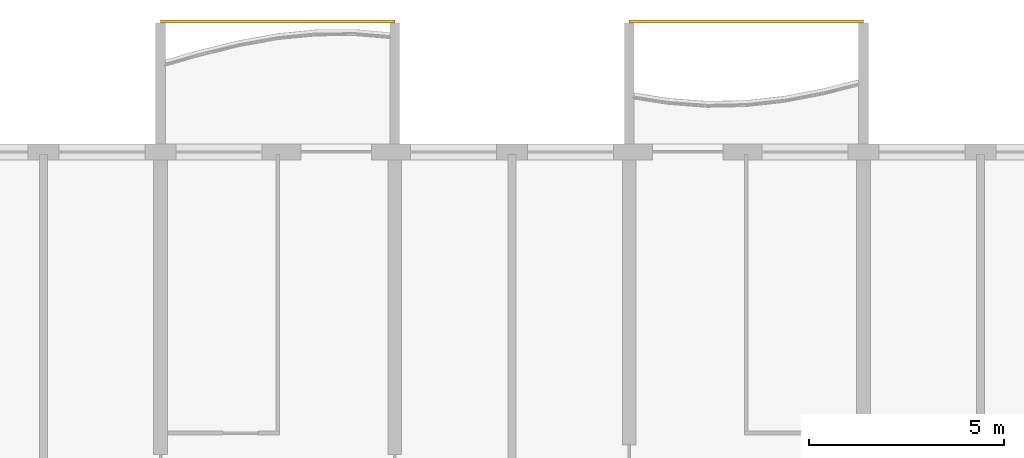
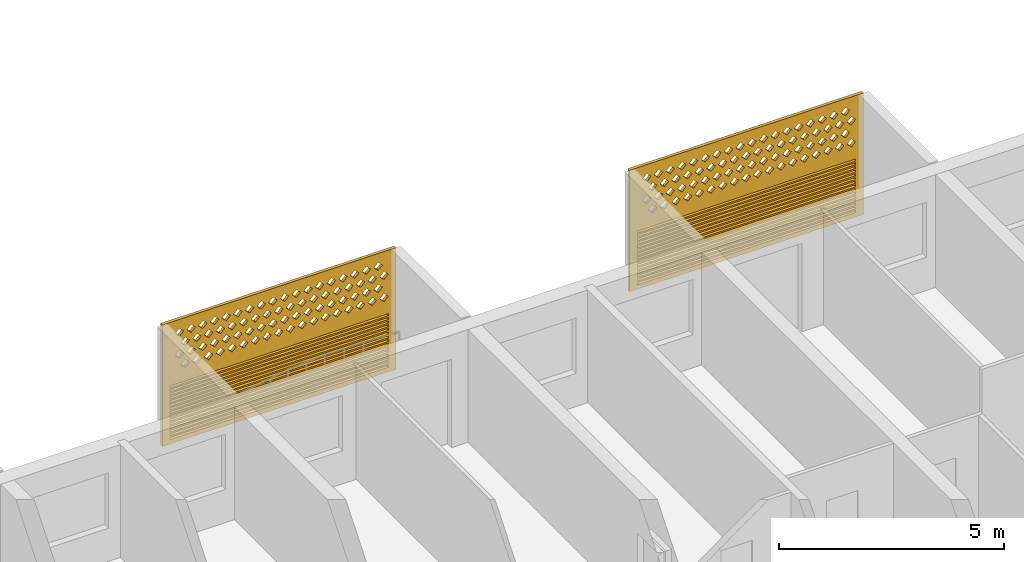
# One storey, part 26 of 29: 2 coverings.
"""IFC4 building model written with IfcOpenShell, lengths in metres."""

from ifc_helpers import new_model, si_unit, direction, frame, origin, place, context, subcontext, project, spatial, polyline, outline, extrude, source, transform, mapped, material, material_profile, profile_set, type_object, element, save


model = new_model("IFC4")

# Units and contexts
model_context = context("Model", 3, precision=1e-05, world=origin(), true_north=direction((0.0, 1.0)))
body_context = subcontext(model_context, "Body", "Model", "MODEL_VIEW")
ifc_project = project(units=[si_unit("LENGTHUNIT", "METRE"), si_unit("AREAUNIT", "SQUARE_METRE"), si_unit("VOLUMEUNIT", "CUBIC_METRE"), si_unit("PLANEANGLEUNIT", "RADIAN"), si_unit("MASSUNIT", "GRAM", prefix="KILO")], contexts=[model_context])

# Site, building, storey
site_placement = place(None, origin())
site = spatial("IfcSite", under=ifc_project, at=site_placement, CompositionType="ELEMENT")
building_placement = place(site_placement, origin())
building = spatial("IfcBuilding", under=site, at=building_placement, Name="Poui Terraces", CompositionType="ELEMENT")
storey_placement = place(building_placement, frame((0.0, 0.0, 86.10009765625)))
storey = spatial("IfcBuildingStorey", under=building, at=storey_placement, Name="L23", CompositionType="ELEMENT", Elevation=86.10009765625)

# Coverings
ifc_material = material(Name="Terracotta screen", Category="masonry")
ifc_material_profile = material_profile(ifc_material, outline(polyline([(-3.0, -1.64990234375), (3.0, -1.64990234375), (3.0, 1.64990234375), (-3.0, 1.64990234375), (-3.0, -1.64990234375)]), holes=[polyline([(-2.800048828125, 0.39990234375), (-2.68994140625, 0.2900390625), (-2.580078125, 0.39990234375), (-2.68994140625, 0.510009765625), (-2.800048828125, 0.39990234375)]), polyline([(-2.5, 0.39990234375), (-2.389892578125, 0.2900390625), (-2.280029296875, 0.39990234375), (-2.389892578125, 0.510009765625), (-2.5, 0.39990234375)]), polyline([(-2.199951171875, 0.39990234375), (-2.090087890625, 0.2900390625), (-1.97998046875, 0.39990234375), (-2.090087890625, 0.510009765625), (-2.199951171875, 0.39990234375)]), polyline([(-1.89990234375, 0.39990234375), (-1.7900390625, 0.2900390625), (-1.679931640625, 0.39990234375), (-1.7900390625, 0.510009765625), (-1.89990234375, 0.39990234375)]), polyline([(-1.60009765625, 0.39990234375), (-1.489990234375, 0.2900390625), (-1.3798828125, 0.39990234375), (-1.489990234375, 0.510009765625), (-1.60009765625, 0.39990234375)]), polyline([(-1.300048828125, 0.39990234375), (-1.18994140625, 0.2900390625), (-1.080078125, 0.39990234375), (-1.18994140625, 0.510009765625), (-1.300048828125, 0.39990234375)]), polyline([(-1.0, 0.39990234375), (-0.889892578125, 0.2900390625), (-0.780029296875, 0.39990234375), (-0.889892578125, 0.510009765625), (-1.0, 0.39990234375)]), polyline([(-0.699951171875, 0.39990234375), (-0.590087890625, 0.2900390625), (-0.47998046875, 0.39990234375), (-0.590087890625, 0.510009765625), (-0.699951171875, 0.39990234375)]), polyline([(-0.39990234375, 0.39990234375), (-0.2900390625, 0.2900390625), (-0.179931640625, 0.39990234375), (-0.2900390625, 0.510009765625), (-0.39990234375, 0.39990234375)]), polyline([(-0.10009765625, 0.39990234375), (0.010009765625, 0.2900390625), (0.1201171875, 0.39990234375), (0.010009765625, 0.510009765625), (-0.10009765625, 0.39990234375)]), polyline([(0.199951171875, 0.39990234375), (0.31005859375, 0.2900390625), (0.419921875, 0.39990234375), (0.31005859375, 0.510009765625), (0.199951171875, 0.39990234375)]), polyline([(0.5, 0.39990234375), (0.610107421875, 0.2900390625), (0.719970703125, 0.39990234375), (0.610107421875, 0.510009765625), (0.5, 0.39990234375)]), polyline([(0.800048828125, 0.39990234375), (0.909912109375, 0.2900390625), (1.02001953125, 0.39990234375), (0.909912109375, 0.510009765625), (0.800048828125, 0.39990234375)]), polyline([(1.10009765625, 0.39990234375), (1.2099609375, 0.2900390625), (1.320068359375, 0.39990234375), (1.2099609375, 0.510009765625), (1.10009765625, 0.39990234375)]), polyline([(1.39990234375, 0.39990234375), (1.510009765625, 0.2900390625), (1.6201171875, 0.39990234375), (1.510009765625, 0.510009765625), (1.39990234375, 0.39990234375)]), polyline([(1.699951171875, 0.39990234375), (1.81005859375, 0.2900390625), (1.919921875, 0.39990234375), (1.81005859375, 0.510009765625), (1.699951171875, 0.39990234375)]), polyline([(2.0, 0.39990234375), (2.110107421875, 0.2900390625), (2.219970703125, 0.39990234375), (2.110107421875, 0.510009765625), (2.0, 0.39990234375)]), polyline([(2.300048828125, 0.39990234375), (2.409912109375, 0.2900390625), (2.52001953125, 0.39990234375), (2.409912109375, 0.510009765625), (2.300048828125, 0.39990234375)]), polyline([(-2.64990234375, 0.699951171875), (-2.5400390625, 0.590087890625), (-2.429931640625, 0.699951171875), (-2.5400390625, 0.81005859375), (-2.64990234375, 0.699951171875)]), polyline([(-2.35009765625, 0.699951171875), (-2.239990234375, 0.590087890625), (-2.1298828125, 0.699951171875), (-2.239990234375, 0.81005859375), (-2.35009765625, 0.699951171875)]), polyline([(-2.050048828125, 0.699951171875), (-1.93994140625, 0.590087890625), (-1.830078125, 0.699951171875), (-1.93994140625, 0.81005859375), (-2.050048828125, 0.699951171875)]), polyline([(-1.75, 0.699951171875), (-1.639892578125, 0.590087890625), (-1.530029296875, 0.699951171875), (-1.639892578125, 0.81005859375), (-1.75, 0.699951171875)]), polyline([(-1.449951171875, 0.699951171875), (-1.340087890625, 0.590087890625), (-1.22998046875, 0.699951171875), (-1.340087890625, 0.81005859375), (-1.449951171875, 0.699951171875)]), polyline([(-1.14990234375, 0.699951171875), (-1.0400390625, 0.590087890625), (-0.929931640625, 0.699951171875), (-1.0400390625, 0.81005859375), (-1.14990234375, 0.699951171875)]), polyline([(-0.85009765625, 0.699951171875), (-0.739990234375, 0.590087890625), (-0.6298828125, 0.699951171875), (-0.739990234375, 0.81005859375), (-0.85009765625, 0.699951171875)]), polyline([(-0.550048828125, 0.699951171875), (-0.43994140625, 0.590087890625), (-0.330078125, 0.699951171875), (-0.43994140625, 0.81005859375), (-0.550048828125, 0.699951171875)]), polyline([(-0.25, 0.699951171875), (-0.139892578125, 0.590087890625), (-0.030029296875, 0.699951171875), (-0.139892578125, 0.81005859375), (-0.25, 0.699951171875)]), polyline([(0.050048828125, 0.699951171875), (0.159912109375, 0.590087890625), (0.27001953125, 0.699951171875), (0.159912109375, 0.81005859375), (0.050048828125, 0.699951171875)]), polyline([(0.35009765625, 0.699951171875), (0.4599609375, 0.590087890625), (0.570068359375, 0.699951171875), (0.4599609375, 0.81005859375), (0.35009765625, 0.699951171875)]), polyline([(0.64990234375, 0.699951171875), (0.760009765625, 0.590087890625), (0.8701171875, 0.699951171875), (0.760009765625, 0.81005859375), (0.64990234375, 0.699951171875)]), polyline([(0.949951171875, 0.699951171875), (1.06005859375, 0.590087890625), (1.169921875, 0.699951171875), (1.06005859375, 0.81005859375), (0.949951171875, 0.699951171875)]), polyline([(1.25, 0.699951171875), (1.360107421875, 0.590087890625), (1.469970703125, 0.699951171875), (1.360107421875, 0.81005859375), (1.25, 0.699951171875)]), polyline([(1.550048828125, 0.699951171875), (1.659912109375, 0.590087890625), (1.77001953125, 0.699951171875), (1.659912109375, 0.81005859375), (1.550048828125, 0.699951171875)]), polyline([(1.85009765625, 0.699951171875), (1.9599609375, 0.590087890625), (2.070068359375, 0.699951171875), (1.9599609375, 0.81005859375), (1.85009765625, 0.699951171875)]), polyline([(2.14990234375, 0.699951171875), (2.260009765625, 0.590087890625), (2.3701171875, 0.699951171875), (2.260009765625, 0.81005859375), (2.14990234375, 0.699951171875)]), polyline([(2.449951171875, 0.699951171875), (2.56005859375, 0.590087890625), (2.669921875, 0.699951171875), (2.56005859375, 0.81005859375), (2.449951171875, 0.699951171875)]), polyline([(-2.800048828125, 1.0), (-2.68994140625, 0.889892578125), (-2.580078125, 1.0), (-2.68994140625, 1.110107421875), (-2.800048828125, 1.0)]), polyline([(-2.5, 1.0), (-2.389892578125, 0.889892578125), (-2.280029296875, 1.0), (-2.389892578125, 1.110107421875), (-2.5, 1.0)]), polyline([(-2.199951171875, 1.0), (-2.090087890625, 0.889892578125), (-1.97998046875, 1.0), (-2.090087890625, 1.110107421875), (-2.199951171875, 1.0)]), polyline([(-1.89990234375, 1.0), (-1.7900390625, 0.889892578125), (-1.679931640625, 1.0), (-1.7900390625, 1.110107421875), (-1.89990234375, 1.0)]), polyline([(-1.60009765625, 1.0), (-1.489990234375, 0.889892578125), (-1.3798828125, 1.0), (-1.489990234375, 1.110107421875), (-1.60009765625, 1.0)]), polyline([(-1.300048828125, 1.0), (-1.18994140625, 0.889892578125), (-1.080078125, 1.0), (-1.18994140625, 1.110107421875), (-1.300048828125, 1.0)]), polyline([(-1.0, 1.0), (-0.889892578125, 0.889892578125), (-0.780029296875, 1.0), (-0.889892578125, 1.110107421875), (-1.0, 1.0)]), polyline([(-0.699951171875, 1.0), (-0.590087890625, 0.889892578125), (-0.47998046875, 1.0), (-0.590087890625, 1.110107421875), (-0.699951171875, 1.0)]), polyline([(-0.39990234375, 1.0), (-0.2900390625, 0.889892578125), (-0.179931640625, 1.0), (-0.2900390625, 1.110107421875), (-0.39990234375, 1.0)]), polyline([(-0.10009765625, 1.0), (0.010009765625, 0.889892578125), (0.1201171875, 1.0), (0.010009765625, 1.110107421875), (-0.10009765625, 1.0)]), polyline([(0.199951171875, 1.0), (0.31005859375, 0.889892578125), (0.419921875, 1.0), (0.31005859375, 1.110107421875), (0.199951171875, 1.0)]), polyline([(0.5, 1.0), (0.610107421875, 0.889892578125), (0.719970703125, 1.0), (0.610107421875, 1.110107421875), (0.5, 1.0)]), polyline([(0.800048828125, 1.0), (0.909912109375, 0.889892578125), (1.02001953125, 1.0), (0.909912109375, 1.110107421875), (0.800048828125, 1.0)]), polyline([(1.10009765625, 1.0), (1.2099609375, 0.889892578125), (1.320068359375, 1.0), (1.2099609375, 1.110107421875), (1.10009765625, 1.0)]), polyline([(1.39990234375, 1.0), (1.510009765625, 0.889892578125), (1.6201171875, 1.0), (1.510009765625, 1.110107421875), (1.39990234375, 1.0)]), polyline([(1.699951171875, 1.0), (1.81005859375, 0.889892578125), (1.919921875, 1.0), (1.81005859375, 1.110107421875), (1.699951171875, 1.0)]), polyline([(2.0, 1.0), (2.110107421875, 0.889892578125), (2.219970703125, 1.0), (2.110107421875, 1.110107421875), (2.0, 1.0)]), polyline([(2.300048828125, 1.0), (2.409912109375, 0.889892578125), (2.52001953125, 1.0), (2.409912109375, 1.110107421875), (2.300048828125, 1.0)]), polyline([(-2.64990234375, 1.300048828125), (-2.5400390625, 1.18994140625), (-2.429931640625, 1.300048828125), (-2.5400390625, 1.409912109375), (-2.64990234375, 1.300048828125)]), polyline([(-2.35009765625, 1.300048828125), (-2.239990234375, 1.18994140625), (-2.1298828125, 1.300048828125), (-2.239990234375, 1.409912109375), (-2.35009765625, 1.300048828125)]), polyline([(-2.050048828125, 1.300048828125), (-1.93994140625, 1.18994140625), (-1.830078125, 1.300048828125), (-1.93994140625, 1.409912109375), (-2.050048828125, 1.300048828125)]), polyline([(-1.75, 1.300048828125), (-1.639892578125, 1.18994140625), (-1.530029296875, 1.300048828125), (-1.639892578125, 1.409912109375), (-1.75, 1.300048828125)]), polyline([(-1.449951171875, 1.300048828125), (-1.340087890625, 1.18994140625), (-1.22998046875, 1.300048828125), (-1.340087890625, 1.409912109375), (-1.449951171875, 1.300048828125)]), polyline([(-1.14990234375, 1.300048828125), (-1.0400390625, 1.18994140625), (-0.929931640625, 1.300048828125), (-1.0400390625, 1.409912109375), (-1.14990234375, 1.300048828125)]), polyline([(-0.85009765625, 1.300048828125), (-0.739990234375, 1.18994140625), (-0.6298828125, 1.300048828125), (-0.739990234375, 1.409912109375), (-0.85009765625, 1.300048828125)]), polyline([(-0.550048828125, 1.300048828125), (-0.43994140625, 1.18994140625), (-0.330078125, 1.300048828125), (-0.43994140625, 1.409912109375), (-0.550048828125, 1.300048828125)]), polyline([(-0.25, 1.300048828125), (-0.139892578125, 1.18994140625), (-0.030029296875, 1.300048828125), (-0.139892578125, 1.409912109375), (-0.25, 1.300048828125)]), polyline([(0.050048828125, 1.300048828125), (0.159912109375, 1.18994140625), (0.27001953125, 1.300048828125), (0.159912109375, 1.409912109375), (0.050048828125, 1.300048828125)]), polyline([(0.35009765625, 1.300048828125), (0.4599609375, 1.18994140625), (0.570068359375, 1.300048828125), (0.4599609375, 1.409912109375), (0.35009765625, 1.300048828125)]), polyline([(0.64990234375, 1.300048828125), (0.760009765625, 1.18994140625), (0.8701171875, 1.300048828125), (0.760009765625, 1.409912109375), (0.64990234375, 1.300048828125)]), polyline([(0.949951171875, 1.300048828125), (1.06005859375, 1.18994140625), (1.169921875, 1.300048828125), (1.06005859375, 1.409912109375), (0.949951171875, 1.300048828125)]), polyline([(1.25, 1.300048828125), (1.360107421875, 1.18994140625), (1.469970703125, 1.300048828125), (1.360107421875, 1.409912109375), (1.25, 1.300048828125)]), polyline([(1.550048828125, 1.300048828125), (1.659912109375, 1.18994140625), (1.77001953125, 1.300048828125), (1.659912109375, 1.409912109375), (1.550048828125, 1.300048828125)]), polyline([(1.85009765625, 1.300048828125), (1.9599609375, 1.18994140625), (2.070068359375, 1.300048828125), (1.9599609375, 1.409912109375), (1.85009765625, 1.300048828125)]), polyline([(2.14990234375, 1.300048828125), (2.260009765625, 1.18994140625), (2.3701171875, 1.300048828125), (2.260009765625, 1.409912109375), (2.14990234375, 1.300048828125)]), polyline([(2.449951171875, 1.300048828125), (2.56005859375, 1.18994140625), (2.669921875, 1.300048828125), (2.56005859375, 1.409912109375), (2.449951171875, 1.300048828125)]), polyline([(-2.800048828125, -1.530029296875), (2.800048828125, -1.530029296875), (2.800048828125, -1.469970703125), (-2.800048828125, -1.469970703125), (-2.800048828125, -1.530029296875)]), polyline([(-2.800048828125, -1.429931640625), (2.800048828125, -1.429931640625), (2.800048828125, -1.3701171875), (-2.800048828125, -1.3701171875), (-2.800048828125, -1.429931640625)]), polyline([(-2.800048828125, -1.330078125), (2.800048828125, -1.330078125), (2.800048828125, -1.27001953125), (-2.800048828125, -1.27001953125), (-2.800048828125, -1.330078125)]), polyline([(-2.800048828125, -1.22998046875), (2.800048828125, -1.22998046875), (2.800048828125, -1.169921875), (-2.800048828125, -1.169921875), (-2.800048828125, -1.22998046875)]), polyline([(-2.800048828125, -1.1298828125), (2.800048828125, -1.1298828125), (2.800048828125, -1.070068359375), (-2.800048828125, -1.070068359375), (-2.800048828125, -1.1298828125)]), polyline([(-2.800048828125, -1.030029296875), (2.800048828125, -1.030029296875), (2.800048828125, -0.969970703125), (-2.800048828125, -0.969970703125), (-2.800048828125, -1.030029296875)]), polyline([(-2.800048828125, -0.929931640625), (2.800048828125, -0.929931640625), (2.800048828125, -0.8701171875), (-2.800048828125, -0.8701171875), (-2.800048828125, -0.929931640625)]), polyline([(-2.800048828125, -0.830078125), (2.800048828125, -0.830078125), (2.800048828125, -0.77001953125), (-2.800048828125, -0.77001953125), (-2.800048828125, -0.830078125)]), polyline([(-2.800048828125, -0.72998046875), (2.800048828125, -0.72998046875), (2.800048828125, -0.669921875), (-2.800048828125, -0.669921875), (-2.800048828125, -0.72998046875)]), polyline([(-2.800048828125, -0.6298828125), (2.800048828125, -0.6298828125), (2.800048828125, -0.570068359375), (-2.800048828125, -0.570068359375), (-2.800048828125, -0.6298828125)]), polyline([(-2.800048828125, -0.530029296875), (2.800048828125, -0.530029296875), (2.800048828125, -0.469970703125), (-2.800048828125, -0.469970703125), (-2.800048828125, -0.530029296875)]), polyline([(-2.800048828125, -0.429931640625), (2.800048828125, -0.429931640625), (2.800048828125, -0.3701171875), (-2.800048828125, -0.3701171875), (-2.800048828125, -0.429931640625)]), polyline([(-2.800048828125, -0.330078125), (2.800048828125, -0.330078125), (2.800048828125, -0.27001953125), (-2.800048828125, -0.27001953125), (-2.800048828125, -0.330078125)]), polyline([(-2.800048828125, -0.22998046875), (2.800048828125, -0.22998046875), (2.800048828125, -0.169921875), (-2.800048828125, -0.169921875), (-2.800048828125, -0.22998046875)]), polyline([(-2.800048828125, -0.1298828125), (2.800048828125, -0.1298828125), (2.800048828125, -0.070068359375), (-2.800048828125, -0.070068359375), (-2.800048828125, -0.1298828125)])]), Name="TERRACOTTA SCREEN AND JALOUSIE LOUVRE 6000X3300")
ifc_profile_set = profile_set([ifc_material_profile], Name="Terracotta screen")
covering_type = type_object("IfcCoveringType", Name="TERRACOTTA SCREEN AND JALOUSIE LOUVRE 6000X3300", PredefinedType="CLADDING", material=ifc_profile_set)
shared_shape = source(origin(), body_context, "Body", "SweptSolid", [
    extrude(outline(polyline([(-3.0, -1.64990234375), (3.0, -1.64990234375), (3.0, 1.64990234375), (-3.0, 1.64990234375), (-3.0, -1.64990234375)]), holes=[polyline([(-2.800048828125, 0.39990234375), (-2.68994140625, 0.2900390625), (-2.580078125, 0.39990234375), (-2.68994140625, 0.510009765625), (-2.800048828125, 0.39990234375)]), polyline([(-2.5, 0.39990234375), (-2.389892578125, 0.2900390625), (-2.280029296875, 0.39990234375), (-2.389892578125, 0.510009765625), (-2.5, 0.39990234375)]), polyline([(-2.199951171875, 0.39990234375), (-2.090087890625, 0.2900390625), (-1.97998046875, 0.39990234375), (-2.090087890625, 0.510009765625), (-2.199951171875, 0.39990234375)]), polyline([(-1.89990234375, 0.39990234375), (-1.7900390625, 0.2900390625), (-1.679931640625, 0.39990234375), (-1.7900390625, 0.510009765625), (-1.89990234375, 0.39990234375)]), polyline([(-1.60009765625, 0.39990234375), (-1.489990234375, 0.2900390625), (-1.3798828125, 0.39990234375), (-1.489990234375, 0.510009765625), (-1.60009765625, 0.39990234375)]), polyline([(-1.300048828125, 0.39990234375), (-1.18994140625, 0.2900390625), (-1.080078125, 0.39990234375), (-1.18994140625, 0.510009765625), (-1.300048828125, 0.39990234375)]), polyline([(-1.0, 0.39990234375), (-0.889892578125, 0.2900390625), (-0.780029296875, 0.39990234375), (-0.889892578125, 0.510009765625), (-1.0, 0.39990234375)]), polyline([(-0.699951171875, 0.39990234375), (-0.590087890625, 0.2900390625), (-0.47998046875, 0.39990234375), (-0.590087890625, 0.510009765625), (-0.699951171875, 0.39990234375)]), polyline([(-0.39990234375, 0.39990234375), (-0.2900390625, 0.2900390625), (-0.179931640625, 0.39990234375), (-0.2900390625, 0.510009765625), (-0.39990234375, 0.39990234375)]), polyline([(-0.10009765625, 0.39990234375), (0.010009765625, 0.2900390625), (0.1201171875, 0.39990234375), (0.010009765625, 0.510009765625), (-0.10009765625, 0.39990234375)]), polyline([(0.199951171875, 0.39990234375), (0.31005859375, 0.2900390625), (0.419921875, 0.39990234375), (0.31005859375, 0.510009765625), (0.199951171875, 0.39990234375)]), polyline([(0.5, 0.39990234375), (0.610107421875, 0.2900390625), (0.719970703125, 0.39990234375), (0.610107421875, 0.510009765625), (0.5, 0.39990234375)]), polyline([(0.800048828125, 0.39990234375), (0.909912109375, 0.2900390625), (1.02001953125, 0.39990234375), (0.909912109375, 0.510009765625), (0.800048828125, 0.39990234375)]), polyline([(1.10009765625, 0.39990234375), (1.2099609375, 0.2900390625), (1.320068359375, 0.39990234375), (1.2099609375, 0.510009765625), (1.10009765625, 0.39990234375)]), polyline([(1.39990234375, 0.39990234375), (1.510009765625, 0.2900390625), (1.6201171875, 0.39990234375), (1.510009765625, 0.510009765625), (1.39990234375, 0.39990234375)]), polyline([(1.699951171875, 0.39990234375), (1.81005859375, 0.2900390625), (1.919921875, 0.39990234375), (1.81005859375, 0.510009765625), (1.699951171875, 0.39990234375)]), polyline([(2.0, 0.39990234375), (2.110107421875, 0.2900390625), (2.219970703125, 0.39990234375), (2.110107421875, 0.510009765625), (2.0, 0.39990234375)]), polyline([(2.300048828125, 0.39990234375), (2.409912109375, 0.2900390625), (2.52001953125, 0.39990234375), (2.409912109375, 0.510009765625), (2.300048828125, 0.39990234375)]), polyline([(-2.64990234375, 0.699951171875), (-2.5400390625, 0.590087890625), (-2.429931640625, 0.699951171875), (-2.5400390625, 0.81005859375), (-2.64990234375, 0.699951171875)]), polyline([(-2.35009765625, 0.699951171875), (-2.239990234375, 0.590087890625), (-2.1298828125, 0.699951171875), (-2.239990234375, 0.81005859375), (-2.35009765625, 0.699951171875)]), polyline([(-2.050048828125, 0.699951171875), (-1.93994140625, 0.590087890625), (-1.830078125, 0.699951171875), (-1.93994140625, 0.81005859375), (-2.050048828125, 0.699951171875)]), polyline([(-1.75, 0.699951171875), (-1.639892578125, 0.590087890625), (-1.530029296875, 0.699951171875), (-1.639892578125, 0.81005859375), (-1.75, 0.699951171875)]), polyline([(-1.449951171875, 0.699951171875), (-1.340087890625, 0.590087890625), (-1.22998046875, 0.699951171875), (-1.340087890625, 0.81005859375), (-1.449951171875, 0.699951171875)]), polyline([(-1.14990234375, 0.699951171875), (-1.0400390625, 0.590087890625), (-0.929931640625, 0.699951171875), (-1.0400390625, 0.81005859375), (-1.14990234375, 0.699951171875)]), polyline([(-0.85009765625, 0.699951171875), (-0.739990234375, 0.590087890625), (-0.6298828125, 0.699951171875), (-0.739990234375, 0.81005859375), (-0.85009765625, 0.699951171875)]), polyline([(-0.550048828125, 0.699951171875), (-0.43994140625, 0.590087890625), (-0.330078125, 0.699951171875), (-0.43994140625, 0.81005859375), (-0.550048828125, 0.699951171875)]), polyline([(-0.25, 0.699951171875), (-0.139892578125, 0.590087890625), (-0.030029296875, 0.699951171875), (-0.139892578125, 0.81005859375), (-0.25, 0.699951171875)]), polyline([(0.050048828125, 0.699951171875), (0.159912109375, 0.590087890625), (0.27001953125, 0.699951171875), (0.159912109375, 0.81005859375), (0.050048828125, 0.699951171875)]), polyline([(0.35009765625, 0.699951171875), (0.4599609375, 0.590087890625), (0.570068359375, 0.699951171875), (0.4599609375, 0.81005859375), (0.35009765625, 0.699951171875)]), polyline([(0.64990234375, 0.699951171875), (0.760009765625, 0.590087890625), (0.8701171875, 0.699951171875), (0.760009765625, 0.81005859375), (0.64990234375, 0.699951171875)]), polyline([(0.949951171875, 0.699951171875), (1.06005859375, 0.590087890625), (1.169921875, 0.699951171875), (1.06005859375, 0.81005859375), (0.949951171875, 0.699951171875)]), polyline([(1.25, 0.699951171875), (1.360107421875, 0.590087890625), (1.469970703125, 0.699951171875), (1.360107421875, 0.81005859375), (1.25, 0.699951171875)]), polyline([(1.550048828125, 0.699951171875), (1.659912109375, 0.590087890625), (1.77001953125, 0.699951171875), (1.659912109375, 0.81005859375), (1.550048828125, 0.699951171875)]), polyline([(1.85009765625, 0.699951171875), (1.9599609375, 0.590087890625), (2.070068359375, 0.699951171875), (1.9599609375, 0.81005859375), (1.85009765625, 0.699951171875)]), polyline([(2.14990234375, 0.699951171875), (2.260009765625, 0.590087890625), (2.3701171875, 0.699951171875), (2.260009765625, 0.81005859375), (2.14990234375, 0.699951171875)]), polyline([(2.449951171875, 0.699951171875), (2.56005859375, 0.590087890625), (2.669921875, 0.699951171875), (2.56005859375, 0.81005859375), (2.449951171875, 0.699951171875)]), polyline([(-2.800048828125, 1.0), (-2.68994140625, 0.889892578125), (-2.580078125, 1.0), (-2.68994140625, 1.110107421875), (-2.800048828125, 1.0)]), polyline([(-2.5, 1.0), (-2.389892578125, 0.889892578125), (-2.280029296875, 1.0), (-2.389892578125, 1.110107421875), (-2.5, 1.0)]), polyline([(-2.199951171875, 1.0), (-2.090087890625, 0.889892578125), (-1.97998046875, 1.0), (-2.090087890625, 1.110107421875), (-2.199951171875, 1.0)]), polyline([(-1.89990234375, 1.0), (-1.7900390625, 0.889892578125), (-1.679931640625, 1.0), (-1.7900390625, 1.110107421875), (-1.89990234375, 1.0)]), polyline([(-1.60009765625, 1.0), (-1.489990234375, 0.889892578125), (-1.3798828125, 1.0), (-1.489990234375, 1.110107421875), (-1.60009765625, 1.0)]), polyline([(-1.300048828125, 1.0), (-1.18994140625, 0.889892578125), (-1.080078125, 1.0), (-1.18994140625, 1.110107421875), (-1.300048828125, 1.0)]), polyline([(-1.0, 1.0), (-0.889892578125, 0.889892578125), (-0.780029296875, 1.0), (-0.889892578125, 1.110107421875), (-1.0, 1.0)]), polyline([(-0.699951171875, 1.0), (-0.590087890625, 0.889892578125), (-0.47998046875, 1.0), (-0.590087890625, 1.110107421875), (-0.699951171875, 1.0)]), polyline([(-0.39990234375, 1.0), (-0.2900390625, 0.889892578125), (-0.179931640625, 1.0), (-0.2900390625, 1.110107421875), (-0.39990234375, 1.0)]), polyline([(-0.10009765625, 1.0), (0.010009765625, 0.889892578125), (0.1201171875, 1.0), (0.010009765625, 1.110107421875), (-0.10009765625, 1.0)]), polyline([(0.199951171875, 1.0), (0.31005859375, 0.889892578125), (0.419921875, 1.0), (0.31005859375, 1.110107421875), (0.199951171875, 1.0)]), polyline([(0.5, 1.0), (0.610107421875, 0.889892578125), (0.719970703125, 1.0), (0.610107421875, 1.110107421875), (0.5, 1.0)]), polyline([(0.800048828125, 1.0), (0.909912109375, 0.889892578125), (1.02001953125, 1.0), (0.909912109375, 1.110107421875), (0.800048828125, 1.0)]), polyline([(1.10009765625, 1.0), (1.2099609375, 0.889892578125), (1.320068359375, 1.0), (1.2099609375, 1.110107421875), (1.10009765625, 1.0)]), polyline([(1.39990234375, 1.0), (1.510009765625, 0.889892578125), (1.6201171875, 1.0), (1.510009765625, 1.110107421875), (1.39990234375, 1.0)]), polyline([(1.699951171875, 1.0), (1.81005859375, 0.889892578125), (1.919921875, 1.0), (1.81005859375, 1.110107421875), (1.699951171875, 1.0)]), polyline([(2.0, 1.0), (2.110107421875, 0.889892578125), (2.219970703125, 1.0), (2.110107421875, 1.110107421875), (2.0, 1.0)]), polyline([(2.300048828125, 1.0), (2.409912109375, 0.889892578125), (2.52001953125, 1.0), (2.409912109375, 1.110107421875), (2.300048828125, 1.0)]), polyline([(-2.64990234375, 1.300048828125), (-2.5400390625, 1.18994140625), (-2.429931640625, 1.300048828125), (-2.5400390625, 1.409912109375), (-2.64990234375, 1.300048828125)]), polyline([(-2.35009765625, 1.300048828125), (-2.239990234375, 1.18994140625), (-2.1298828125, 1.300048828125), (-2.239990234375, 1.409912109375), (-2.35009765625, 1.300048828125)]), polyline([(-2.050048828125, 1.300048828125), (-1.93994140625, 1.18994140625), (-1.830078125, 1.300048828125), (-1.93994140625, 1.409912109375), (-2.050048828125, 1.300048828125)]), polyline([(-1.75, 1.300048828125), (-1.639892578125, 1.18994140625), (-1.530029296875, 1.300048828125), (-1.639892578125, 1.409912109375), (-1.75, 1.300048828125)]), polyline([(-1.449951171875, 1.300048828125), (-1.340087890625, 1.18994140625), (-1.22998046875, 1.300048828125), (-1.340087890625, 1.409912109375), (-1.449951171875, 1.300048828125)]), polyline([(-1.14990234375, 1.300048828125), (-1.0400390625, 1.18994140625), (-0.929931640625, 1.300048828125), (-1.0400390625, 1.409912109375), (-1.14990234375, 1.300048828125)]), polyline([(-0.85009765625, 1.300048828125), (-0.739990234375, 1.18994140625), (-0.6298828125, 1.300048828125), (-0.739990234375, 1.409912109375), (-0.85009765625, 1.300048828125)]), polyline([(-0.550048828125, 1.300048828125), (-0.43994140625, 1.18994140625), (-0.330078125, 1.300048828125), (-0.43994140625, 1.409912109375), (-0.550048828125, 1.300048828125)]), polyline([(-0.25, 1.300048828125), (-0.139892578125, 1.18994140625), (-0.030029296875, 1.300048828125), (-0.139892578125, 1.409912109375), (-0.25, 1.300048828125)]), polyline([(0.050048828125, 1.300048828125), (0.159912109375, 1.18994140625), (0.27001953125, 1.300048828125), (0.159912109375, 1.409912109375), (0.050048828125, 1.300048828125)]), polyline([(0.35009765625, 1.300048828125), (0.4599609375, 1.18994140625), (0.570068359375, 1.300048828125), (0.4599609375, 1.409912109375), (0.35009765625, 1.300048828125)]), polyline([(0.64990234375, 1.300048828125), (0.760009765625, 1.18994140625), (0.8701171875, 1.300048828125), (0.760009765625, 1.409912109375), (0.64990234375, 1.300048828125)]), polyline([(0.949951171875, 1.300048828125), (1.06005859375, 1.18994140625), (1.169921875, 1.300048828125), (1.06005859375, 1.409912109375), (0.949951171875, 1.300048828125)]), polyline([(1.25, 1.300048828125), (1.360107421875, 1.18994140625), (1.469970703125, 1.300048828125), (1.360107421875, 1.409912109375), (1.25, 1.300048828125)]), polyline([(1.550048828125, 1.300048828125), (1.659912109375, 1.18994140625), (1.77001953125, 1.300048828125), (1.659912109375, 1.409912109375), (1.550048828125, 1.300048828125)]), polyline([(1.85009765625, 1.300048828125), (1.9599609375, 1.18994140625), (2.070068359375, 1.300048828125), (1.9599609375, 1.409912109375), (1.85009765625, 1.300048828125)]), polyline([(2.14990234375, 1.300048828125), (2.260009765625, 1.18994140625), (2.3701171875, 1.300048828125), (2.260009765625, 1.409912109375), (2.14990234375, 1.300048828125)]), polyline([(2.449951171875, 1.300048828125), (2.56005859375, 1.18994140625), (2.669921875, 1.300048828125), (2.56005859375, 1.409912109375), (2.449951171875, 1.300048828125)]), polyline([(-2.800048828125, -1.530029296875), (2.800048828125, -1.530029296875), (2.800048828125, -1.469970703125), (-2.800048828125, -1.469970703125), (-2.800048828125, -1.530029296875)]), polyline([(-2.800048828125, -1.429931640625), (2.800048828125, -1.429931640625), (2.800048828125, -1.3701171875), (-2.800048828125, -1.3701171875), (-2.800048828125, -1.429931640625)]), polyline([(-2.800048828125, -1.330078125), (2.800048828125, -1.330078125), (2.800048828125, -1.27001953125), (-2.800048828125, -1.27001953125), (-2.800048828125, -1.330078125)]), polyline([(-2.800048828125, -1.22998046875), (2.800048828125, -1.22998046875), (2.800048828125, -1.169921875), (-2.800048828125, -1.169921875), (-2.800048828125, -1.22998046875)]), polyline([(-2.800048828125, -1.1298828125), (2.800048828125, -1.1298828125), (2.800048828125, -1.070068359375), (-2.800048828125, -1.070068359375), (-2.800048828125, -1.1298828125)]), polyline([(-2.800048828125, -1.030029296875), (2.800048828125, -1.030029296875), (2.800048828125, -0.969970703125), (-2.800048828125, -0.969970703125), (-2.800048828125, -1.030029296875)]), polyline([(-2.800048828125, -0.929931640625), (2.800048828125, -0.929931640625), (2.800048828125, -0.8701171875), (-2.800048828125, -0.8701171875), (-2.800048828125, -0.929931640625)]), polyline([(-2.800048828125, -0.830078125), (2.800048828125, -0.830078125), (2.800048828125, -0.77001953125), (-2.800048828125, -0.77001953125), (-2.800048828125, -0.830078125)]), polyline([(-2.800048828125, -0.72998046875), (2.800048828125, -0.72998046875), (2.800048828125, -0.669921875), (-2.800048828125, -0.669921875), (-2.800048828125, -0.72998046875)]), polyline([(-2.800048828125, -0.6298828125), (2.800048828125, -0.6298828125), (2.800048828125, -0.570068359375), (-2.800048828125, -0.570068359375), (-2.800048828125, -0.6298828125)]), polyline([(-2.800048828125, -0.530029296875), (2.800048828125, -0.530029296875), (2.800048828125, -0.469970703125), (-2.800048828125, -0.469970703125), (-2.800048828125, -0.530029296875)]), polyline([(-2.800048828125, -0.429931640625), (2.800048828125, -0.429931640625), (2.800048828125, -0.3701171875), (-2.800048828125, -0.3701171875), (-2.800048828125, -0.429931640625)]), polyline([(-2.800048828125, -0.330078125), (2.800048828125, -0.330078125), (2.800048828125, -0.27001953125), (-2.800048828125, -0.27001953125), (-2.800048828125, -0.330078125)]), polyline([(-2.800048828125, -0.22998046875), (2.800048828125, -0.22998046875), (2.800048828125, -0.169921875), (-2.800048828125, -0.169921875), (-2.800048828125, -0.22998046875)]), polyline([(-2.800048828125, -0.1298828125), (2.800048828125, -0.1298828125), (2.800048828125, -0.070068359375), (-2.800048828125, -0.070068359375), (-2.800048828125, -0.1298828125)])]), origin(), (0.0, 0.0, 1.0), 0.080078125),
])
for number, where, z_axis, x_axis, name in (
    (1, (51.0, 46.89990234375, 1.449951171875), (0.0, 1.0, 0.0), (-1.0, 0.0, 0.0), "SOLAR SCREEN AND JALOUSIE LOUVRE"),
    (2, (63.0, 46.89990234375, 1.449951171875), (0.0, 1.0, 0.0), (-1.0, 0.0, 0.0), "SOLAR SCREEN AND JALOUSIE LOUVRE"),
):
    element("IfcCovering", number, at=place(storey_placement, frame(where, z_axis=z_axis, x_axis=x_axis)), inside=storey, type_object=covering_type, Name=name, PredefinedType="CLADDING", context=body_context, shape_type="MappedRepresentation", body=[
        mapped(shared_shape, transform((0.0, 0.0, 0.0))),
    ])

save(model, "model.ifc")
